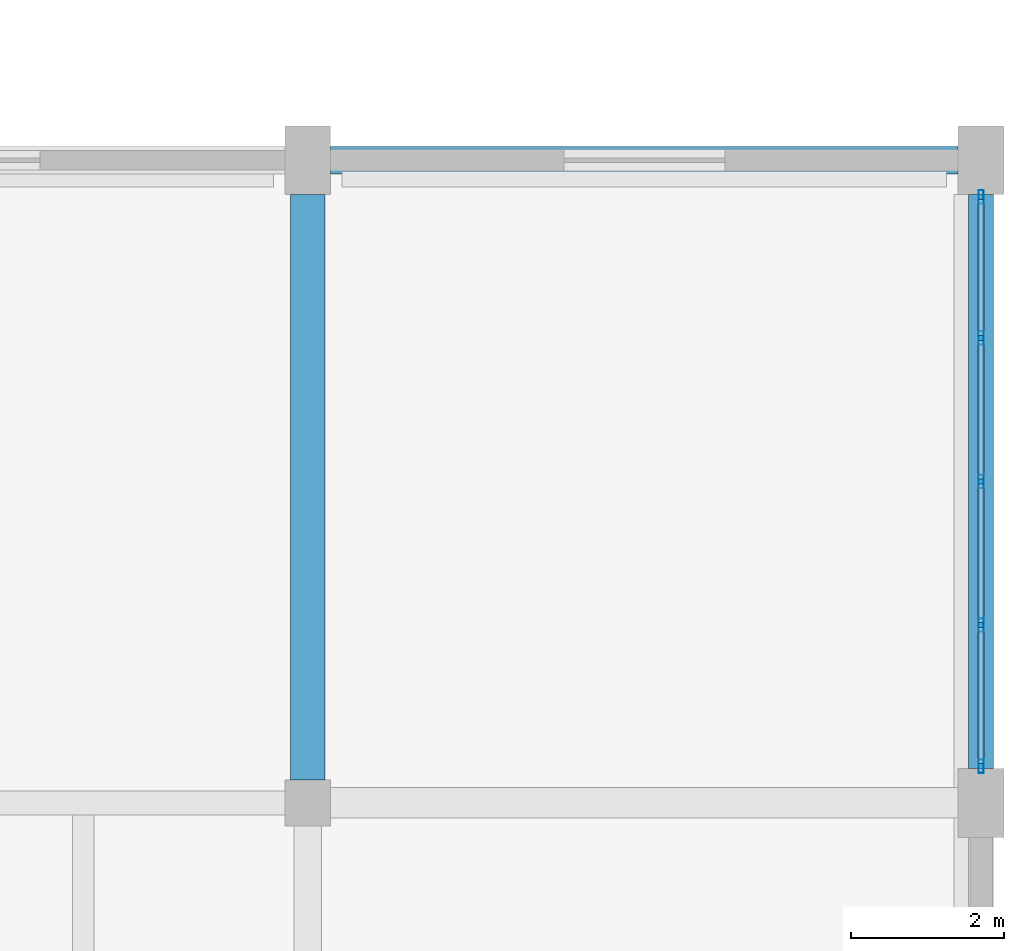
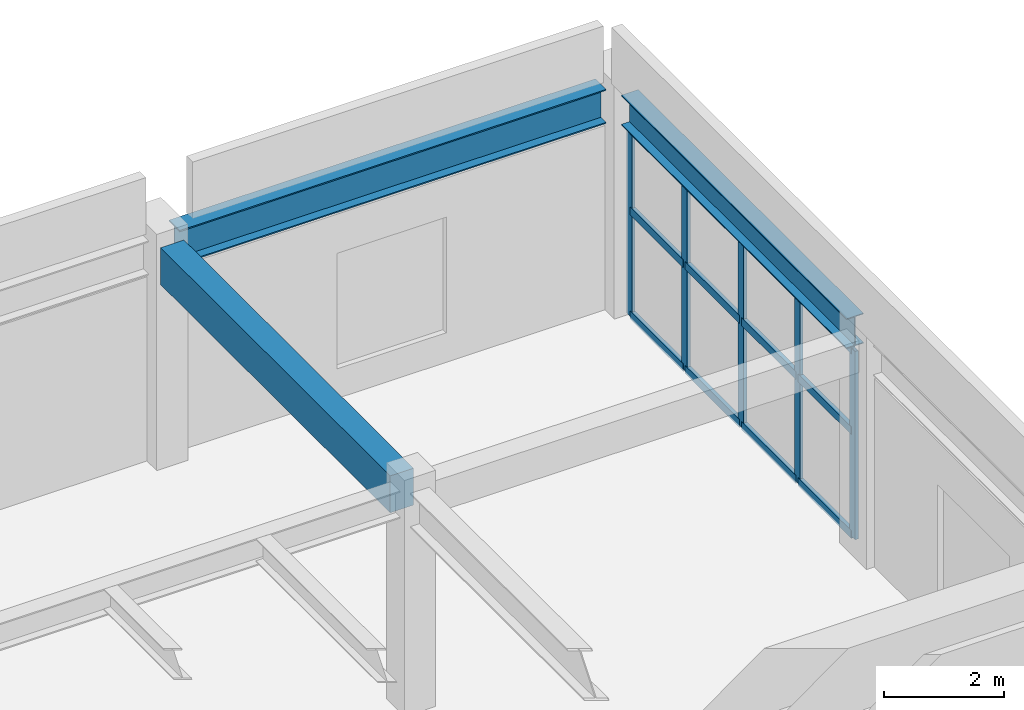
# One storey, part 60 of 96: 17 members, 3 beams, 1 element without a shape of its own.
"""IFC4 building model written with IfcOpenShell, lengths in metres."""

from ifc_helpers import new_model, si_unit, direction, frame, origin, origin_2d, place, context, subcontext, project, spatial, rectangle, hollow_rectangle, i_section, extrude, material, layer, layer_set, material_profile, profile_set, type_object, element, aggregate, save


model = new_model("IFC4")

# Units and contexts
model_context = context("Model", 3, precision=1e-05, world=origin(), true_north=direction((0.0, 1.0)))
body_context = subcontext(model_context, "Body", "Model", "MODEL_VIEW")
ifc_project = project(units=[si_unit("LENGTHUNIT", "METRE"), si_unit("AREAUNIT", "SQUARE_METRE"), si_unit("VOLUMEUNIT", "CUBIC_METRE"), si_unit("PLANEANGLEUNIT", "RADIAN"), si_unit("MASSUNIT", "GRAM", prefix="KILO")], contexts=[model_context])

# Site, building, storey
site_placement = place(None, origin())
site = spatial("IfcSite", under=ifc_project, at=site_placement, CompositionType="ELEMENT")
building_placement = place(site_placement, origin())
building = spatial("IfcBuilding", under=site, at=building_placement, Name="Vaelkrest Opera House", CompositionType="ELEMENT")
storey_placement = place(building_placement, frame((0.0, 0.0, 5.39990234375)))
storey = spatial("IfcBuildingStorey", under=building, at=storey_placement, Name="L01", CompositionType="ELEMENT", Elevation=5.39990234375)

# Beam
ifc_material_1 = material(Name="Concrete C50/60", Category="concrete")
ifc_material_profile_1 = material_profile(ifc_material_1, rectangle(XDim=0.449951171875, YDim=0.75, at=origin_2d()), Name="RCB450X750")
ifc_profile_set_1 = profile_set([ifc_material_profile_1], Name="Concrete C50/60")
beam_type_1 = type_object("IfcBeamType", Name="B02", PredefinedType="BEAM", material=ifc_profile_set_1)
beam_1_placement = place(storey_placement, frame((77.60009765625, 25.5, 4.130126953125), z_axis=(0.0, 1.0, 0.0), x_axis=(-1.0, 0.0, 0.0)))
element("IfcBeam", 1, at=beam_1_placement, inside=storey, type_object=beam_type_1, Name="Beam BM-V4-L01-2207", PredefinedType="BEAM", context=body_context, shape_type="SweptSolid", body=[
    extrude(rectangle(XDim=0.449951171875, YDim=0.75, at=origin_2d()), origin(), (0.0, 0.0, 1.0), 7.64990234375),
])

# Curtain wall, members
ifc_material_2 = material(Name="Dark bronze anodized aluminium", Category="aluminium")
ifc_layer = layer(ifc_material_2, 0.219970703125)
ifc_layer_set = layer_set([ifc_layer], Name="Dark bronze anodized aluminium")
curtain_wall_type = type_object("IfcCurtainWallType", Name="CW05", PredefinedType="NOTDEFINED", material=ifc_layer_set)
curtain_wall_placement = place(storey_placement, origin())
curtain_wall = element("IfcCurtainWall", 2, at=curtain_wall_placement, inside=storey, type_object=curtain_wall_type, Name="Curtain wall CW-L01-157", PredefinedType="NOTDEFINED")
ifc_material_profile_2 = material_profile(ifc_material_2, hollow_rectangle(XDim=0.06494140625, YDim=0.179931640625, WallThickness=0.00390625, at=origin_2d()), Name="CWM65X180")
ifc_profile_set_2 = profile_set([ifc_material_profile_2], Name="Dark bronze anodized aluminium")
member_type_1 = type_object("IfcMemberType", Name="CWM01", PredefinedType="MULLION", material=ifc_profile_set_2)
member_1_placement = place(storey_placement, frame((86.39990234375, 33.119384765625, 0.0), z_axis=(0.0, 0.0, 1.0), x_axis=(1.0, 0.0, 0.0)))
member_1 = element("IfcMember", 3, at=member_1_placement, type_object=member_type_1, Name="CW05 mullion 1", PredefinedType="MULLION", context=body_context, shape_type="SweptSolid", body=[
    extrude(hollow_rectangle(XDim=0.06494140625, YDim=0.179931640625, WallThickness=0.00390625, at=origin_2d()), origin(), (0.0, 0.0, 1.0), 3.8291015625),
])
member_2_placement = place(storey_placement, frame((86.39990234375, 31.27587890625, 0.0), z_axis=(0.0, 0.0, 1.0), x_axis=(1.0, 0.0, 0.0)))
member_2 = element("IfcMember", 4, at=member_2_placement, type_object=member_type_1, Name="CW05 mullion 2", PredefinedType="MULLION", context=body_context, shape_type="SweptSolid", body=[
    extrude(hollow_rectangle(XDim=0.06494140625, YDim=0.179931640625, WallThickness=0.00390625, at=origin_2d()), origin(), (0.0, 0.0, 1.0), 3.8291015625),
])
member_3_placement = place(storey_placement, frame((86.39990234375, 29.39990234375, 0.0), z_axis=(0.0, 0.0, 1.0), x_axis=(1.0, 0.0, 0.0)))
member_3 = element("IfcMember", 5, at=member_3_placement, type_object=member_type_1, Name="CW05 mullion 3", PredefinedType="MULLION", context=body_context, shape_type="SweptSolid", body=[
    extrude(hollow_rectangle(XDim=0.06494140625, YDim=0.179931640625, WallThickness=0.00390625, at=origin_2d()), origin(), (0.0, 0.0, 1.0), 3.8291015625),
])
member_4_placement = place(storey_placement, frame((86.39990234375, 27.52392578125, 0.0), z_axis=(0.0, 0.0, 1.0), x_axis=(1.0, 0.0, 0.0)))
member_4 = element("IfcMember", 6, at=member_4_placement, type_object=member_type_1, Name="CW05 mullion 4", PredefinedType="MULLION", context=body_context, shape_type="SweptSolid", body=[
    extrude(hollow_rectangle(XDim=0.06494140625, YDim=0.179931640625, WallThickness=0.00390625, at=origin_2d()), origin(), (0.0, 0.0, 1.0), 3.8291015625),
])
member_5_placement = place(storey_placement, frame((86.39990234375, 25.680419921875, 0.0), z_axis=(0.0, 0.0, 1.0), x_axis=(1.0, 0.0, 0.0)))
member_5 = element("IfcMember", 7, at=member_5_placement, type_object=member_type_1, Name="CW05 mullion 5", PredefinedType="MULLION", context=body_context, shape_type="SweptSolid", body=[
    extrude(hollow_rectangle(XDim=0.06494140625, YDim=0.179931640625, WallThickness=0.00390625, at=origin_2d()), origin(), (0.0, 0.0, 1.0), 3.8291015625),
])
ifc_material_profile_3 = material_profile(ifc_material_2, hollow_rectangle(XDim=0.074951171875, YDim=0.159912109375, WallThickness=0.00439453125, at=origin_2d()), Name="CWT75X160")
ifc_profile_set_3 = profile_set([ifc_material_profile_3], Name="Dark bronze anodized aluminium")
member_type_2 = type_object("IfcMemberType", Name="CWT03", PredefinedType="USERDEFINED", material=ifc_profile_set_3)
member_6_placement = place(storey_placement, frame((86.39990234375, 33.0869140625, 0.03759765625), z_axis=(0.0, -1.0, 0.0), x_axis=(1.0, 0.0, 0.0)))
member_6 = element("IfcMember", 8, at=member_6_placement, type_object=member_type_2, Name="CW05 transom 1.1", ObjectType="TRANSOM", PredefinedType="USERDEFINED", context=body_context, shape_type="SweptSolid", body=[
    extrude(hollow_rectangle(XDim=0.074951171875, YDim=0.159912109375, WallThickness=0.00439453125, at=origin_2d()), origin(), (0.0, 0.0, 1.0), 1.7783203125),
])
member_7_placement = place(storey_placement, frame((86.39990234375, 33.0869140625, 2.150146484375), z_axis=(0.0, -1.0, 0.0), x_axis=(1.0, 0.0, 0.0)))
member_7 = element("IfcMember", 9, at=member_7_placement, type_object=member_type_2, Name="CW05 transom 1.2", ObjectType="TRANSOM", PredefinedType="USERDEFINED", context=body_context, shape_type="SweptSolid", body=[
    extrude(hollow_rectangle(XDim=0.074951171875, YDim=0.159912109375, WallThickness=0.00439453125, at=origin_2d()), origin(), (0.0, 0.0, 1.0), 1.7783203125),
])
member_8_placement = place(storey_placement, frame((86.39990234375, 33.0869140625, 3.79150390625), z_axis=(0.0, -1.0, 0.0), x_axis=(1.0, 0.0, 0.0)))
member_8 = element("IfcMember", 10, at=member_8_placement, type_object=member_type_2, Name="CW05 transom 1.3", ObjectType="TRANSOM", PredefinedType="USERDEFINED", context=body_context, shape_type="SweptSolid", body=[
    extrude(hollow_rectangle(XDim=0.074951171875, YDim=0.159912109375, WallThickness=0.00439453125, at=origin_2d()), origin(), (0.0, 0.0, 1.0), 1.7783203125),
])
member_9_placement = place(storey_placement, frame((86.39990234375, 31.243408203125, 0.03759765625), z_axis=(0.0, -1.0, 0.0), x_axis=(1.0, 0.0, 0.0)))
member_9 = element("IfcMember", 11, at=member_9_placement, type_object=member_type_2, Name="CW05 transom 2.1", ObjectType="TRANSOM", PredefinedType="USERDEFINED", context=body_context, shape_type="SweptSolid", body=[
    extrude(hollow_rectangle(XDim=0.074951171875, YDim=0.159912109375, WallThickness=0.00439453125, at=origin_2d()), origin(), (0.0, 0.0, 1.0), 1.810791015625),
])
member_10_placement = place(storey_placement, frame((86.39990234375, 31.243408203125, 2.150146484375), z_axis=(0.0, -1.0, 0.0), x_axis=(1.0, 0.0, 0.0)))
member_10 = element("IfcMember", 12, at=member_10_placement, type_object=member_type_2, Name="CW05 transom 2.2", ObjectType="TRANSOM", PredefinedType="USERDEFINED", context=body_context, shape_type="SweptSolid", body=[
    extrude(hollow_rectangle(XDim=0.074951171875, YDim=0.159912109375, WallThickness=0.00439453125, at=origin_2d()), origin(), (0.0, 0.0, 1.0), 1.810791015625),
])
member_11_placement = place(storey_placement, frame((86.39990234375, 31.243408203125, 3.79150390625), z_axis=(0.0, -1.0, 0.0), x_axis=(1.0, 0.0, 0.0)))
member_11 = element("IfcMember", 13, at=member_11_placement, type_object=member_type_2, Name="CW05 transom 2.3", ObjectType="TRANSOM", PredefinedType="USERDEFINED", context=body_context, shape_type="SweptSolid", body=[
    extrude(hollow_rectangle(XDim=0.074951171875, YDim=0.159912109375, WallThickness=0.00439453125, at=origin_2d()), origin(), (0.0, 0.0, 1.0), 1.810791015625),
])
member_12_placement = place(storey_placement, frame((86.39990234375, 29.367431640625, 0.03759765625), z_axis=(0.0, -1.0, 0.0), x_axis=(1.0, 0.0, 0.0)))
member_12 = element("IfcMember", 14, at=member_12_placement, type_object=member_type_2, Name="CW05 transom 3.1", ObjectType="TRANSOM", PredefinedType="USERDEFINED", context=body_context, shape_type="SweptSolid", body=[
    extrude(hollow_rectangle(XDim=0.074951171875, YDim=0.159912109375, WallThickness=0.00439453125, at=origin_2d()), origin(), (0.0, 0.0, 1.0), 1.81103515625),
])
member_13_placement = place(storey_placement, frame((86.39990234375, 29.367431640625, 2.150146484375), z_axis=(0.0, -1.0, 0.0), x_axis=(1.0, 0.0, 0.0)))
member_13 = element("IfcMember", 15, at=member_13_placement, type_object=member_type_2, Name="CW05 transom 3.2", ObjectType="TRANSOM", PredefinedType="USERDEFINED", context=body_context, shape_type="SweptSolid", body=[
    extrude(hollow_rectangle(XDim=0.074951171875, YDim=0.159912109375, WallThickness=0.00439453125, at=origin_2d()), origin(), (0.0, 0.0, 1.0), 1.81103515625),
])
member_14_placement = place(storey_placement, frame((86.39990234375, 29.367431640625, 3.79150390625), z_axis=(0.0, -1.0, 0.0), x_axis=(1.0, 0.0, 0.0)))
member_14 = element("IfcMember", 16, at=member_14_placement, type_object=member_type_2, Name="CW05 transom 3.3", ObjectType="TRANSOM", PredefinedType="USERDEFINED", context=body_context, shape_type="SweptSolid", body=[
    extrude(hollow_rectangle(XDim=0.074951171875, YDim=0.159912109375, WallThickness=0.00439453125, at=origin_2d()), origin(), (0.0, 0.0, 1.0), 1.81103515625),
])
member_15_placement = place(storey_placement, frame((86.39990234375, 27.491455078125, 0.03759765625), z_axis=(0.0, -1.0, 0.0), x_axis=(1.0, 0.0, 0.0)))
member_15 = element("IfcMember", 17, at=member_15_placement, type_object=member_type_2, Name="CW05 transom 4.1", ObjectType="TRANSOM", PredefinedType="USERDEFINED", context=body_context, shape_type="SweptSolid", body=[
    extrude(hollow_rectangle(XDim=0.074951171875, YDim=0.159912109375, WallThickness=0.00439453125, at=origin_2d()), origin(), (0.0, 0.0, 1.0), 1.778564453125),
])
member_16_placement = place(storey_placement, frame((86.39990234375, 27.491455078125, 2.150146484375), z_axis=(0.0, -1.0, 0.0), x_axis=(1.0, 0.0, 0.0)))
member_16 = element("IfcMember", 18, at=member_16_placement, type_object=member_type_2, Name="CW05 transom 4.2", ObjectType="TRANSOM", PredefinedType="USERDEFINED", context=body_context, shape_type="SweptSolid", body=[
    extrude(hollow_rectangle(XDim=0.074951171875, YDim=0.159912109375, WallThickness=0.00439453125, at=origin_2d()), origin(), (0.0, 0.0, 1.0), 1.778564453125),
])
member_17_placement = place(storey_placement, frame((86.39990234375, 27.491455078125, 3.79150390625), z_axis=(0.0, -1.0, 0.0), x_axis=(1.0, 0.0, 0.0)))
member_17 = element("IfcMember", 19, at=member_17_placement, type_object=member_type_2, Name="CW05 transom 4.3", ObjectType="TRANSOM", PredefinedType="USERDEFINED", context=body_context, shape_type="SweptSolid", body=[
    extrude(hollow_rectangle(XDim=0.074951171875, YDim=0.159912109375, WallThickness=0.00439453125, at=origin_2d()), origin(), (0.0, 0.0, 1.0), 1.778564453125),
])
aggregate(curtain_wall, [member_1, member_2, member_3, member_4, member_5, member_6, member_7, member_8, member_9, member_10, member_11, member_12, member_13, member_14, member_15, member_16, member_17])

# Beams
ifc_material_3 = material(Name="Steel A992 Gr50", Category="steel")
ifc_material_profile_4 = material_profile(ifc_material_3, i_section(OverallWidth=0.323974609375, OverallDepth=0.611083984375, WebThickness=0.0126953125, FlangeThickness=0.01904296875, at=origin_2d()), Name="W24X104")
ifc_profile_set_4 = profile_set([ifc_material_profile_4], Name="Steel A992 Gr50")
beam_type_2 = type_object("IfcBeamType", Name="SP01", PredefinedType="SPANDREL", material=ifc_profile_set_4)
beam_2_placement = place(storey_placement, frame((86.39990234375, 25.64990234375, 4.19970703125), z_axis=(0.0, 1.0, 0.0), x_axis=(-1.0, 0.0, 0.0)))
element("IfcBeam", 20, at=beam_2_placement, inside=storey, type_object=beam_type_2, Name="Beam BM-V4-L01-2215", PredefinedType="SPANDREL", context=body_context, shape_type="SweptSolid", body=[
    extrude(i_section(OverallWidth=0.323974609375, OverallDepth=0.611083984375, WebThickness=0.0126953125, FlangeThickness=0.01904296875, at=origin_2d()), origin(), (0.0, 0.0, 1.0), 7.5),
])
ifc_material_profile_5 = material_profile(ifc_material_3, i_section(OverallWidth=0.35498046875, OverallDepth=0.695068359375, WebThickness=0.015380859375, FlangeThickness=0.02490234375, at=origin_2d()), Name="W27X146")
ifc_profile_set_5 = profile_set([ifc_material_profile_5], Name="Steel A992 Gr50")
beam_type_3 = type_object("IfcBeamType", Name="SP02", PredefinedType="SPANDREL", material=ifc_profile_set_5)
beam_3_placement = place(storey_placement, frame((77.89990234375, 33.60009765625, 4.15771484375), z_axis=(1.0, 0.0, 0.0), x_axis=(0.0, 1.0, 0.0)))
element("IfcBeam", 21, at=beam_3_placement, inside=storey, type_object=beam_type_3, Name="Beam BM-V4-L01-2163", PredefinedType="SPANDREL", context=body_context, shape_type="SweptSolid", body=[
    extrude(i_section(OverallWidth=0.35498046875, OverallDepth=0.695068359375, WebThickness=0.015380859375, FlangeThickness=0.02490234375, at=origin_2d()), origin(), (0.0, 0.0, 1.0), 8.2001953125),
])

save(model, "model.ifc")
